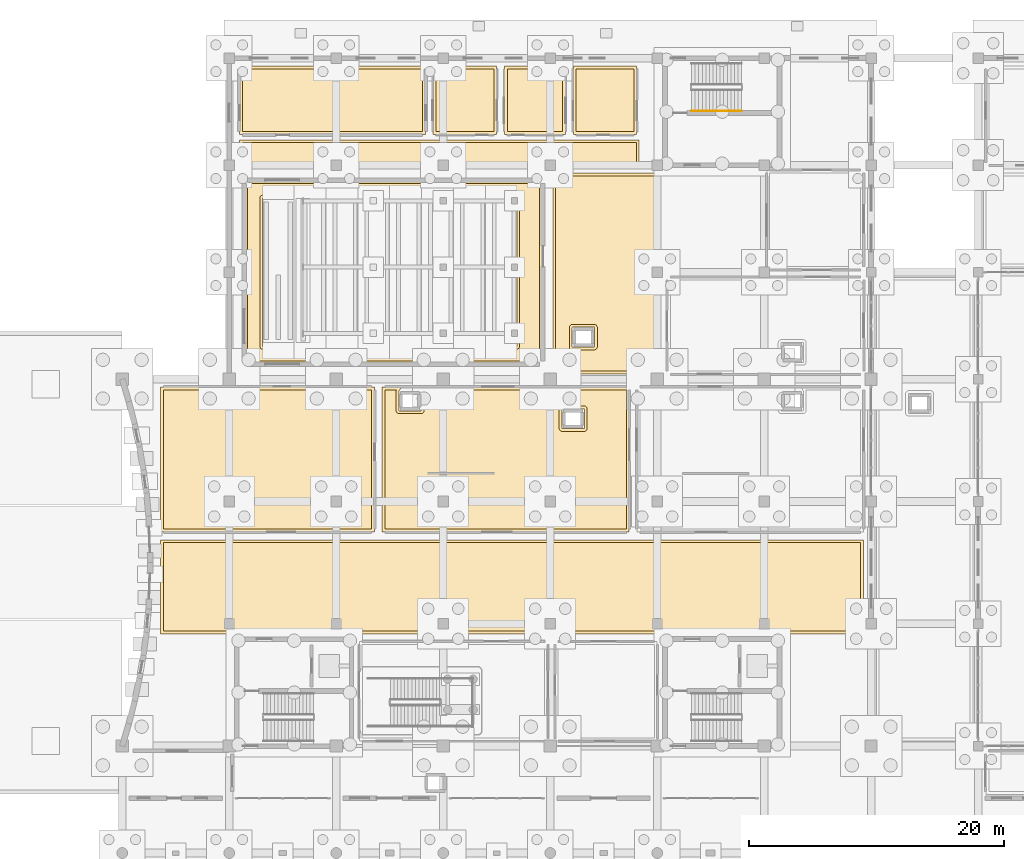
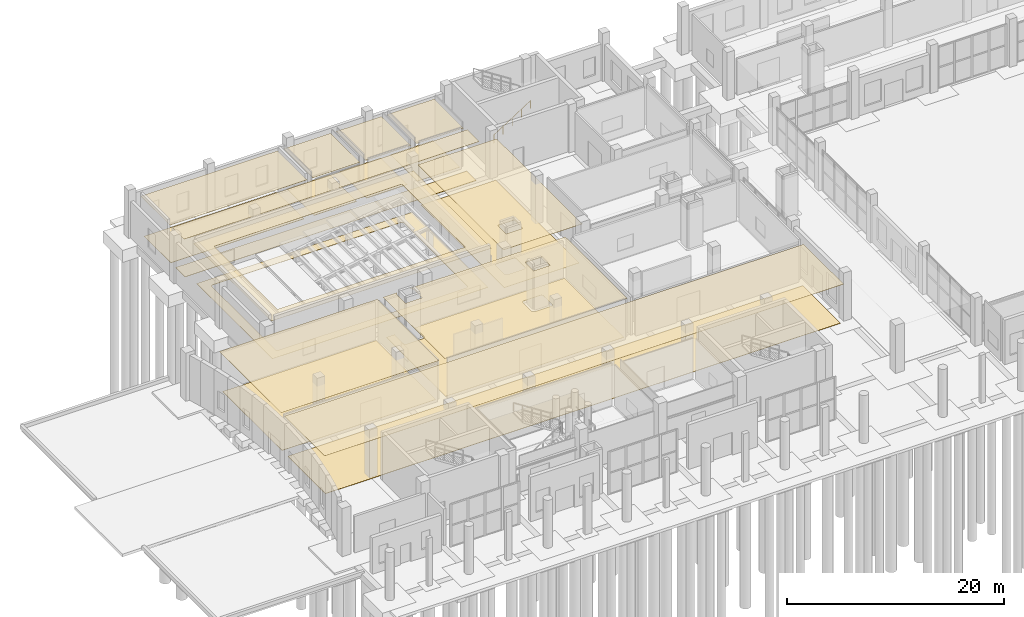
# One storey, part 53 of 65: 20 coverings, 1 railing.
"""IFC4 building model written with IfcOpenShell, lengths in metres."""

from ifc_helpers import new_model, si_unit, direction, frame, origin, origin_2d, place, context, subcontext, project, spatial, polyline, circle, outline, extrude, material, layer, layer_set, type_object, element, save


model = new_model("IFC4")

# Units and contexts
model_context = context("Model", 3, precision=1e-05, world=origin(), true_north=direction((0.0, 1.0)))
body_context = subcontext(model_context, "Body", "Model", "MODEL_VIEW")
ifc_project = project(units=[si_unit("LENGTHUNIT", "METRE"), si_unit("AREAUNIT", "SQUARE_METRE"), si_unit("VOLUMEUNIT", "CUBIC_METRE"), si_unit("PLANEANGLEUNIT", "RADIAN"), si_unit("MASSUNIT", "GRAM", prefix="KILO")], contexts=[model_context])

# Site, building, storey
site_placement = place(None, origin())
site = spatial("IfcSite", under=ifc_project, at=site_placement, CompositionType="ELEMENT")
building_placement = place(site_placement, origin())
building = spatial("IfcBuilding", under=site, at=building_placement, Name="Zulmaris Art Gallery", CompositionType="ELEMENT")
storey_placement = place(building_placement, origin())
storey = spatial("IfcBuildingStorey", under=building, at=storey_placement, Name="L00", CompositionType="ELEMENT", Elevation=0.0)

# Coverings
ifc_material_1 = material(Name="Micro-Perforated Gypsum Acoustic Ceiling", Category="gypsum")
ifc_layer_1 = layer(ifc_material_1, 0.02490234375)
ifc_layer_set_1 = layer_set([ifc_layer_1], Name="Micro-Perforated Gypsum Acoustic Ceiling")
covering_type_1 = type_object("IfcCoveringType", Name="COV-CL01", PredefinedType="CEILING", material=ifc_layer_set_1)
covering_1_placement = place(storey_placement, frame((0.0, 0.0, 4.449951171875)))
element("IfcCovering", 1, at=covering_1_placement, inside=storey, type_object=covering_type_1, Name="Grand Entrance Foyer & Ticketing Hall acoustic ceiling", PredefinedType="CEILING", context=body_context, shape_type="SweptSolid", body=[
    extrude(outline(polyline([(27.010009765625, 37.7900390625), (82.18994140625, 37.7900390625), (82.18994140625, 30.409912109375), (27.010009765625, 30.409912109375), (27.010009765625, 37.7900390625)])), origin(), (0.0, 0.0, 1.0), 0.030029296875),
])
covering_2_placement = place(storey_placement, frame((0.0, 0.0, 4.449951171875)))
element("IfcCovering", 2, at=covering_2_placement, inside=storey, type_object=covering_type_1, Name="Cloakroom & Visitor Orientation acoustic ceiling", PredefinedType="CEILING", context=body_context, shape_type="SweptSolid", body=[
    extrude(outline(polyline([(27.010009765625, 49.7900390625), (43.7900390625, 49.7900390625), (43.7900390625, 38.409912109375), (27.010009765625, 38.409912109375), (27.010009765625, 49.7900390625)])), origin(), (0.0, 0.0, 1.0), 0.030029296875),
])
covering_3_placement = place(storey_placement, frame((0.0, 0.0, 4.449951171875)))
element("IfcCovering", 3, at=covering_3_placement, inside=storey, type_object=covering_type_1, Name="Auditorium Pre-Function Foyer acoustic ceiling", PredefinedType="CEILING", context=body_context, shape_type="SweptSolid", body=[
    extrude(outline(polyline([(57.81005859375, 66.590087890625), (66.18994140625, 66.590087890625), (66.18994140625, 50.81005859375), (57.81005859375, 50.81005859375), (57.81005859375, 66.590087890625)]), holes=[polyline([(59.321533203125, 52.94140625), (59.322509765625, 52.938720703125), (59.32373046875, 52.93603515625), (59.3251953125, 52.93359375), (59.326904296875, 52.93115234375), (59.3291015625, 52.928955078125), (59.3310546875, 52.927001953125), (59.33349609375, 52.92529296875), (59.3359375, 52.923828125), (59.338623046875, 52.922607421875), (59.34130859375, 52.92138671875), (59.34423828125, 52.9208984375), (59.34716796875, 52.92041015625), (59.35546875, 52.919921875), (61.044677734375, 52.919921875), (61.052978515625, 52.92041015625), (61.055908203125, 52.9208984375), (61.05859375, 52.92138671875), (61.061279296875, 52.922607421875), (61.06396484375, 52.923828125), (61.06640625, 52.92529296875), (61.06884765625, 52.927001953125), (61.071044921875, 52.928955078125), (61.072998046875, 52.93115234375), (61.07470703125, 52.93359375), (61.076171875, 52.93603515625), (61.077392578125, 52.938720703125), (61.07861328125, 52.94140625), (61.0791015625, 52.944091796875), (61.07958984375, 52.947021484375), (61.080078125, 52.955322265625), (61.080078125, 54.444580078125), (61.07958984375, 54.452880859375), (61.0791015625, 54.455810546875), (61.07861328125, 54.45849609375), (61.077392578125, 54.46142578125), (61.076171875, 54.464111328125), (61.07470703125, 54.466552734375), (61.072998046875, 54.468994140625), (61.071044921875, 54.470947265625), (61.06884765625, 54.472900390625), (61.06640625, 54.474609375), (61.06396484375, 54.476318359375), (61.061279296875, 54.4775390625), (61.05859375, 54.478515625), (61.055908203125, 54.479248046875), (61.052978515625, 54.4794921875), (61.044677734375, 54.47998046875), (59.35546875, 54.47998046875), (59.34716796875, 54.4794921875), (59.34423828125, 54.479248046875), (59.34130859375, 54.478515625), (59.338623046875, 54.4775390625), (59.3359375, 54.476318359375), (59.33349609375, 54.474609375), (59.3310546875, 54.472900390625), (59.3291015625, 54.470947265625), (59.326904296875, 54.468994140625), (59.3251953125, 54.466552734375), (59.32373046875, 54.464111328125), (59.322509765625, 54.46142578125), (59.321533203125, 54.45849609375), (59.32080078125, 54.455810546875), (59.3203125, 54.452880859375), (59.320068359375, 54.444580078125), (59.320068359375, 52.955322265625), (59.3203125, 52.947021484375), (59.32080078125, 52.944091796875), (59.321533203125, 52.94140625)])]), origin(), (0.0, 0.0, 1.0), 0.030029296875),
])
covering_4_placement = place(storey_placement, frame((0.0, 0.0, 4.449951171875)))
element("IfcCovering", 4, at=covering_4_placement, inside=storey, type_object=covering_type_1, Name="320-Seat Lecture Auditorium acoustic ceiling", PredefinedType="CEILING", context=body_context, shape_type="SweptSolid", body=[
    extrude(outline(polyline([(56.989990234375, 65.989990234375), (56.989990234375, 51.610107421875), (33.610107421875, 51.610107421875), (33.610107421875, 65.989990234375), (56.989990234375, 65.989990234375)]), holes=[polyline([(35.021484375, 52.991455078125), (35.0224609375, 52.988525390625), (35.023681640625, 52.986083984375), (35.025390625, 52.9833984375), (35.027099609375, 52.981201171875), (35.029052734375, 52.97900390625), (35.031005859375, 52.97705078125), (35.033447265625, 52.975341796875), (35.035888671875, 52.973876953125), (35.03857421875, 52.972412109375), (35.04150390625, 52.971435546875), (35.044189453125, 52.970703125), (35.047119140625, 52.970458984375), (35.055419921875, 52.969970703125), (54.944580078125, 52.969970703125), (54.952880859375, 52.970458984375), (54.955810546875, 52.970703125), (54.95849609375, 52.971435546875), (54.96142578125, 52.972412109375), (54.964111328125, 52.973876953125), (54.966552734375, 52.975341796875), (54.968994140625, 52.97705078125), (54.970947265625, 52.97900390625), (54.972900390625, 52.981201171875), (54.974609375, 52.9833984375), (54.976318359375, 52.986083984375), (54.9775390625, 52.988525390625), (54.978515625, 52.991455078125), (54.979248046875, 52.994140625), (54.9794921875, 52.9970703125), (54.97998046875, 53.00537109375), (54.97998046875, 64.594482421875), (54.9794921875, 64.602783203125), (54.979248046875, 64.605712890625), (54.978515625, 64.608642578125), (54.9775390625, 64.611328125), (54.976318359375, 64.614013671875), (54.974609375, 64.616455078125), (54.972900390625, 64.618896484375), (54.970947265625, 64.62109375), (54.968994140625, 64.623046875), (54.966552734375, 64.624755859375), (54.964111328125, 64.626220703125), (54.96142578125, 64.62744140625), (54.95849609375, 64.62841796875), (54.955810546875, 64.629150390625), (54.952880859375, 64.629638671875), (54.944580078125, 64.6298828125), (35.055419921875, 64.6298828125), (35.047119140625, 64.629638671875), (35.044189453125, 64.629150390625), (35.04150390625, 64.62841796875), (35.03857421875, 64.62744140625), (35.035888671875, 64.626220703125), (35.033447265625, 64.624755859375), (35.031005859375, 64.623046875), (35.029052734375, 64.62109375), (35.027099609375, 64.618896484375), (35.025390625, 64.616455078125), (35.023681640625, 64.614013671875), (35.0224609375, 64.611328125), (35.021484375, 64.608642578125), (35.020751953125, 64.605712890625), (35.0205078125, 64.602783203125), (35.02001953125, 64.594482421875), (35.02001953125, 53.00537109375), (35.0205078125, 52.9970703125), (35.020751953125, 52.994140625), (35.021484375, 52.991455078125)])]), origin(), (0.0, 0.0, 1.0), 0.030029296875),
])
covering_5_placement = place(storey_placement, frame((0.0, 0.0, 4.449951171875)))
element("IfcCovering", 5, at=covering_5_placement, inside=storey, type_object=covering_type_1, Name="North Backstage Corridor acoustic ceiling", PredefinedType="CEILING", context=body_context, shape_type="SweptSolid", body=[
    extrude(outline(polyline([(33.2099609375, 69.18994140625), (64.590087890625, 69.18994140625), (64.590087890625, 67.010009765625), (33.2099609375, 67.010009765625), (33.2099609375, 69.18994140625)])), origin(), (0.0, 0.0, 1.0), 0.030029296875),
])
covering_6_placement = place(storey_placement, frame((0.0, 0.0, 4.449951171875)))
element("IfcCovering", 6, at=covering_6_placement, inside=storey, type_object=covering_type_1, Name="Green Room & Performers Lounge acoustic ceiling", PredefinedType="CEILING", context=body_context, shape_type="SweptSolid", body=[
    extrude(outline(polyline([(33.2099609375, 74.989990234375), (47.7900390625, 74.989990234375), (47.7900390625, 69.610107421875), (33.2099609375, 69.610107421875), (33.2099609375, 74.989990234375)])), origin(), (0.0, 0.0, 1.0), 0.030029296875),
])
covering_7_placement = place(storey_placement, frame((0.0, 0.0, 4.449951171875)))
element("IfcCovering", 7, at=covering_7_placement, inside=storey, type_object=covering_type_1, Name="Ground Public Male WC acoustic ceiling", PredefinedType="CEILING", context=body_context, shape_type="SweptSolid", body=[
    extrude(outline(polyline([(48.409912109375, 74.989990234375), (53.389892578125, 74.989990234375), (53.389892578125, 69.610107421875), (48.409912109375, 69.610107421875), (48.409912109375, 74.989990234375)])), origin(), (0.0, 0.0, 1.0), 0.030029296875),
])
covering_8_placement = place(storey_placement, frame((0.0, 0.0, 4.449951171875)))
element("IfcCovering", 8, at=covering_8_placement, inside=storey, type_object=covering_type_1, Name="Ground Public Female WC acoustic ceiling", PredefinedType="CEILING", context=body_context, shape_type="SweptSolid", body=[
    extrude(outline(polyline([(54.010009765625, 74.989990234375), (58.7900390625, 74.989990234375), (58.7900390625, 69.610107421875), (54.010009765625, 69.610107421875), (54.010009765625, 74.989990234375)])), origin(), (0.0, 0.0, 1.0), 0.030029296875),
])
covering_9_placement = place(storey_placement, frame((0.0, 0.0, 4.449951171875)))
element("IfcCovering", 9, at=covering_9_placement, inside=storey, type_object=covering_type_1, Name="Ground Accessible WC acoustic ceiling", PredefinedType="CEILING", context=body_context, shape_type="SweptSolid", body=[
    extrude(outline(polyline([(59.409912109375, 74.989990234375), (64.389892578125, 74.989990234375), (64.389892578125, 69.610107421875), (59.409912109375, 69.610107421875), (59.409912109375, 74.989990234375)])), origin(), (0.0, 0.0, 1.0), 0.030029296875),
])
ifc_material_2 = material(Name="Luminous UV-Diffusing Stretched Gallery Ceiling", Category="gypsum")
ifc_layer_2 = layer(ifc_material_2, 0.034912109375)
ifc_layer_set_2 = layer_set([ifc_layer_2], Name="Luminous UV-Diffusing Stretched Gallery Ceiling")
covering_type_2 = type_object("IfcCoveringType", Name="COV-CL02", PredefinedType="CEILING", material=ifc_layer_set_2)
covering_10_placement = place(storey_placement, frame((0.0, 0.0, 4.449951171875)))
element("IfcCovering", 10, at=covering_10_placement, inside=storey, type_object=covering_type_2, Name="Omani Maritime & Antiquities Gallery acoustic ceiling", PredefinedType="CEILING", context=body_context, shape_type="SweptSolid", body=[
    extrude(outline(polyline([(45.721435546875, 47.94140625), (45.722412109375, 47.938720703125), (45.723876953125, 47.93603515625), (45.725341796875, 47.93359375), (45.72705078125, 47.93115234375), (45.72900390625, 47.928955078125), (45.731201171875, 47.927001953125), (45.7333984375, 47.92529296875), (45.736083984375, 47.923828125), (45.738525390625, 47.922607421875), (45.741455078125, 47.92138671875), (45.744140625, 47.9208984375), (45.7470703125, 47.92041015625), (45.75537109375, 47.919921875), (47.444580078125, 47.919921875), (47.452880859375, 47.92041015625), (47.455810546875, 47.9208984375), (47.45849609375, 47.92138671875), (47.46142578125, 47.922607421875), (47.464111328125, 47.923828125), (47.466552734375, 47.92529296875), (47.468994140625, 47.927001953125), (47.470947265625, 47.928955078125), (47.472900390625, 47.93115234375), (47.474609375, 47.93359375), (47.476318359375, 47.93603515625), (47.4775390625, 47.938720703125), (47.478515625, 47.94140625), (47.479248046875, 47.944091796875), (47.4794921875, 47.947021484375), (47.47998046875, 47.955322265625), (47.47998046875, 49.444580078125), (47.4794921875, 49.452880859375), (47.479248046875, 49.455810546875), (47.478515625, 49.45849609375), (47.4775390625, 49.46142578125), (47.476318359375, 49.464111328125), (47.28076171875, 49.7900390625), (63.7900390625, 49.7900390625), (63.7900390625, 38.409912109375), (44.409912109375, 38.409912109375), (44.409912109375, 49.7900390625), (45.919189453125, 49.7900390625), (45.723876953125, 49.464111328125), (45.722412109375, 49.46142578125), (45.721435546875, 49.45849609375), (45.720703125, 49.455810546875), (45.720458984375, 49.452880859375), (45.719970703125, 49.444580078125), (45.719970703125, 47.955322265625), (45.720458984375, 47.947021484375), (45.720703125, 47.944091796875), (45.721435546875, 47.94140625)]), holes=[polyline([(58.54150390625, 48.07861328125), (58.53857421875, 48.077392578125), (58.535888671875, 48.076171875), (58.533447265625, 48.07470703125), (58.531005859375, 48.072998046875), (58.529052734375, 48.071044921875), (58.527099609375, 48.06884765625), (58.525390625, 48.06640625), (58.523681640625, 48.06396484375), (58.5224609375, 48.061279296875), (58.521484375, 48.05859375), (58.520751953125, 48.055908203125), (58.5205078125, 48.052978515625), (58.52001953125, 48.044677734375), (58.52001953125, 46.555419921875), (58.5205078125, 46.547119140625), (58.520751953125, 46.544189453125), (58.521484375, 46.54150390625), (58.5224609375, 46.53857421875), (58.523681640625, 46.535888671875), (58.525390625, 46.533447265625), (58.527099609375, 46.531005859375), (58.529052734375, 46.529052734375), (58.531005859375, 46.527099609375), (58.533447265625, 46.525390625), (58.535888671875, 46.523681640625), (58.53857421875, 46.5224609375), (58.54150390625, 46.521484375), (58.544189453125, 46.520751953125), (58.547119140625, 46.5205078125), (58.555419921875, 46.52001953125), (60.24462890625, 46.52001953125), (60.2529296875, 46.5205078125), (60.255859375, 46.520751953125), (60.258544921875, 46.521484375), (60.261474609375, 46.5224609375), (60.263916015625, 46.523681640625), (60.2666015625, 46.525390625), (60.268798828125, 46.527099609375), (60.27099609375, 46.529052734375), (60.27294921875, 46.531005859375), (60.274658203125, 46.533447265625), (60.276123046875, 46.535888671875), (60.277587890625, 46.53857421875), (60.278564453125, 46.54150390625), (60.279296875, 46.544189453125), (60.279541015625, 46.547119140625), (60.280029296875, 46.555419921875), (60.280029296875, 48.044677734375), (60.279541015625, 48.052978515625), (60.279296875, 48.055908203125), (60.278564453125, 48.05859375), (60.277587890625, 48.061279296875), (60.276123046875, 48.06396484375), (60.274658203125, 48.06640625), (60.27294921875, 48.06884765625), (60.27099609375, 48.071044921875), (60.268798828125, 48.072998046875), (60.2666015625, 48.07470703125), (60.263916015625, 48.076171875), (60.261474609375, 48.077392578125), (60.258544921875, 48.07861328125), (60.255859375, 48.0791015625), (60.2529296875, 48.07958984375), (60.24462890625, 48.080078125), (58.555419921875, 48.080078125), (58.547119140625, 48.07958984375), (58.544189453125, 48.0791015625), (58.54150390625, 48.07861328125)])]), origin(), (0.0, 0.0, 1.0), 0.030029296875),
])
ifc_material_3 = material(Name="Honed Omani Limestone Terrazzo Flooring", Category="masonry")
ifc_layer_3 = layer(ifc_material_3, 0.0400390625)
ifc_layer_set_3 = layer_set([ifc_layer_3], Name="Honed Omani Limestone Terrazzo Flooring")
covering_type_3 = type_object("IfcCoveringType", Name="COV-FL01", PredefinedType="FLOORING", material=ifc_layer_set_3)
covering_11_placement = place(storey_placement, origin())
element("IfcCovering", 11, at=covering_11_placement, inside=storey, type_object=covering_type_3, Name="Grand Entrance Foyer & Ticketing Hall finish flooring", PredefinedType="FLOORING", context=body_context, shape_type="SweptSolid", body=[
    extrude(outline(polyline([(81.969970703125, 30.6298828125), (27.22998046875, 30.6298828125), (27.22998046875, 37.570068359375), (81.969970703125, 37.570068359375), (81.969970703125, 30.6298828125)])), origin(), (0.0, 0.0, 1.0), 0.034912109375),
])
covering_12_placement = place(storey_placement, origin())
element("IfcCovering", 12, at=covering_12_placement, inside=storey, type_object=covering_type_3, Name="Cloakroom & Visitor Orientation finish flooring", PredefinedType="FLOORING", context=body_context, shape_type="SweptSolid", body=[
    extrude(outline(polyline([(43.570068359375, 38.6298828125), (27.22998046875, 38.6298828125), (27.22998046875, 49.570068359375), (43.570068359375, 49.570068359375), (43.570068359375, 38.6298828125)])), origin(), (0.0, 0.0, 1.0), 0.034912109375),
])
covering_13_placement = place(storey_placement, origin())
element("IfcCovering", 13, at=covering_13_placement, inside=storey, type_object=covering_type_3, Name="Auditorium Pre-Function Foyer finish flooring", PredefinedType="FLOORING", context=body_context, shape_type="SweptSolid", body=[
    extrude(outline(polyline([(65.969970703125, 51.030029296875), (58.030029296875, 51.030029296875), (58.030029296875, 66.3701171875), (65.969970703125, 66.3701171875), (65.969970703125, 51.030029296875)]), holes=[polyline([(59.101318359375, 52.925537109375), (59.104736328125, 52.901123046875), (59.11083984375, 52.87744140625), (59.118896484375, 52.854248046875), (59.12939453125, 52.832275390625), (59.14208984375, 52.81103515625), (59.15673828125, 52.79150390625), (59.173095703125, 52.773193359375), (59.19140625, 52.756591796875), (59.211181640625, 52.7421875), (59.232177734375, 52.7294921875), (59.25439453125, 52.718994140625), (59.27734375, 52.710693359375), (59.30126953125, 52.704833984375), (59.325439453125, 52.701171875), (59.35009765625, 52.699951171875), (61.050048828125, 52.699951171875), (61.074462890625, 52.701171875), (61.098876953125, 52.704833984375), (61.12255859375, 52.710693359375), (61.145751953125, 52.718994140625), (61.167724609375, 52.7294921875), (61.18896484375, 52.7421875), (61.20849609375, 52.756591796875), (61.226806640625, 52.773193359375), (61.243408203125, 52.79150390625), (61.2578125, 52.81103515625), (61.2705078125, 52.832275390625), (61.281005859375, 52.854248046875), (61.289306640625, 52.87744140625), (61.295166015625, 52.901123046875), (61.298828125, 52.925537109375), (61.300048828125, 52.949951171875), (61.300048828125, 54.449951171875), (61.298828125, 54.474609375), (61.295166015625, 54.498779296875), (61.289306640625, 54.522705078125), (61.281005859375, 54.545654296875), (61.2705078125, 54.56787109375), (61.2578125, 54.5888671875), (61.243408203125, 54.608642578125), (61.226806640625, 54.626708984375), (61.20849609375, 54.643310546875), (61.18896484375, 54.657958984375), (61.167724609375, 54.67041015625), (61.145751953125, 54.680908203125), (61.12255859375, 54.689208984375), (61.098876953125, 54.6953125), (61.074462890625, 54.69873046875), (61.050048828125, 54.699951171875), (59.35009765625, 54.699951171875), (59.325439453125, 54.69873046875), (59.30126953125, 54.6953125), (59.27734375, 54.689208984375), (59.25439453125, 54.680908203125), (59.232177734375, 54.67041015625), (59.211181640625, 54.657958984375), (59.19140625, 54.643310546875), (59.173095703125, 54.626708984375), (59.15673828125, 54.608642578125), (59.14208984375, 54.5888671875), (59.12939453125, 54.56787109375), (59.118896484375, 54.545654296875), (59.11083984375, 54.522705078125), (59.104736328125, 54.498779296875), (59.101318359375, 54.474609375), (59.10009765625, 54.449951171875), (59.10009765625, 52.949951171875), (59.101318359375, 52.925537109375)])]), origin(), (0.0, 0.0, 1.0), 0.034912109375),
])
covering_14_placement = place(storey_placement, origin())
element("IfcCovering", 14, at=covering_14_placement, inside=storey, type_object=covering_type_3, Name="North Backstage Corridor finish flooring", PredefinedType="FLOORING", context=body_context, shape_type="SweptSolid", body=[
    extrude(outline(polyline([(64.3701171875, 67.22998046875), (33.429931640625, 67.22998046875), (33.429931640625, 68.969970703125), (64.3701171875, 68.969970703125), (64.3701171875, 67.22998046875)])), origin(), (0.0, 0.0, 1.0), 0.034912109375),
])
covering_15_placement = place(storey_placement, origin())
element("IfcCovering", 15, at=covering_15_placement, inside=storey, type_object=covering_type_3, Name="Green Room & Performers Lounge finish flooring", PredefinedType="FLOORING", context=body_context, shape_type="SweptSolid", body=[
    extrude(outline(polyline([(47.570068359375, 69.830078125), (33.429931640625, 69.830078125), (33.429931640625, 74.77001953125), (47.570068359375, 74.77001953125), (47.570068359375, 69.830078125)])), origin(), (0.0, 0.0, 1.0), 0.034912109375),
])
covering_16_placement = place(storey_placement, origin())
element("IfcCovering", 16, at=covering_16_placement, inside=storey, type_object=covering_type_3, Name="Ground Public Male WC finish flooring", PredefinedType="FLOORING", context=body_context, shape_type="SweptSolid", body=[
    extrude(outline(polyline([(53.169921875, 69.830078125), (48.6298828125, 69.830078125), (48.6298828125, 74.77001953125), (53.169921875, 74.77001953125), (53.169921875, 69.830078125)])), origin(), (0.0, 0.0, 1.0), 0.034912109375),
])
covering_17_placement = place(storey_placement, origin())
element("IfcCovering", 17, at=covering_17_placement, inside=storey, type_object=covering_type_3, Name="Ground Public Female WC finish flooring", PredefinedType="FLOORING", context=body_context, shape_type="SweptSolid", body=[
    extrude(outline(polyline([(58.570068359375, 69.830078125), (54.22998046875, 69.830078125), (54.22998046875, 74.77001953125), (58.570068359375, 74.77001953125), (58.570068359375, 69.830078125)])), origin(), (0.0, 0.0, 1.0), 0.034912109375),
])
covering_18_placement = place(storey_placement, origin())
element("IfcCovering", 18, at=covering_18_placement, inside=storey, type_object=covering_type_3, Name="Ground Accessible WC finish flooring", PredefinedType="FLOORING", context=body_context, shape_type="SweptSolid", body=[
    extrude(outline(polyline([(64.169921875, 69.830078125), (59.6298828125, 69.830078125), (59.6298828125, 74.77001953125), (64.169921875, 74.77001953125), (64.169921875, 69.830078125)])), origin(), (0.0, 0.0, 1.0), 0.034912109375),
])
ifc_material_4 = material(Name="Oiled European Oak Gallery Parquet Flooring", Category="timber")
ifc_layer_4 = layer(ifc_material_4, 0.030029296875)
ifc_layer_set_4 = layer_set([ifc_layer_4], Name="Oiled European Oak Gallery Parquet Flooring")
covering_type_4 = type_object("IfcCoveringType", Name="COV-FL02", PredefinedType="FLOORING", material=ifc_layer_set_4)
covering_19_placement = place(storey_placement, origin())
element("IfcCovering", 19, at=covering_19_placement, inside=storey, type_object=covering_type_4, Name="Omani Maritime & Antiquities Gallery finish flooring", PredefinedType="FLOORING", context=body_context, shape_type="SweptSolid", body=[
    extrude(outline(polyline([(45.501220703125, 47.925537109375), (45.5048828125, 47.901123046875), (45.5107421875, 47.87744140625), (45.51904296875, 47.854248046875), (45.529541015625, 47.832275390625), (45.5419921875, 47.81103515625), (45.556640625, 47.79150390625), (45.5732421875, 47.773193359375), (45.59130859375, 47.756591796875), (45.611083984375, 47.7421875), (45.632080078125, 47.7294921875), (45.654296875, 47.718994140625), (45.677490234375, 47.710693359375), (45.701171875, 47.704833984375), (45.7255859375, 47.701171875), (45.75, 47.699951171875), (47.449951171875, 47.699951171875), (47.474609375, 47.701171875), (47.498779296875, 47.704833984375), (47.522705078125, 47.710693359375), (47.545654296875, 47.718994140625), (47.56787109375, 47.7294921875), (47.5888671875, 47.7421875), (47.608642578125, 47.756591796875), (47.626708984375, 47.773193359375), (47.643310546875, 47.79150390625), (47.657958984375, 47.81103515625), (47.67041015625, 47.832275390625), (47.680908203125, 47.854248046875), (47.689208984375, 47.87744140625), (47.6953125, 47.901123046875), (47.69873046875, 47.925537109375), (47.699951171875, 47.949951171875), (47.699951171875, 49.449951171875), (47.69873046875, 49.474609375), (47.6953125, 49.498779296875), (47.689208984375, 49.522705078125), (47.680908203125, 49.545654296875), (47.67041015625, 49.56787109375), (47.669189453125, 49.570068359375), (63.570068359375, 49.570068359375), (63.570068359375, 38.6298828125), (44.6298828125, 38.6298828125), (44.6298828125, 49.570068359375), (45.53076171875, 49.570068359375), (45.529541015625, 49.56787109375), (45.51904296875, 49.545654296875), (45.5107421875, 49.522705078125), (45.5048828125, 49.498779296875), (45.501220703125, 49.474609375), (45.5, 49.449951171875), (45.5, 47.949951171875), (45.501220703125, 47.925537109375)]), holes=[polyline([(58.525390625, 48.298828125), (58.501220703125, 48.295166015625), (58.477294921875, 48.289306640625), (58.454345703125, 48.281005859375), (58.43212890625, 48.2705078125), (58.4111328125, 48.2578125), (58.391357421875, 48.243408203125), (58.373291015625, 48.226806640625), (58.356689453125, 48.20849609375), (58.342041015625, 48.18896484375), (58.32958984375, 48.167724609375), (58.319091796875, 48.145751953125), (58.310791015625, 48.12255859375), (58.3046875, 48.098876953125), (58.30126953125, 48.074462890625), (58.300048828125, 48.050048828125), (58.300048828125, 46.550048828125), (58.30126953125, 46.525390625), (58.3046875, 46.501220703125), (58.310791015625, 46.477294921875), (58.319091796875, 46.454345703125), (58.32958984375, 46.43212890625), (58.342041015625, 46.4111328125), (58.356689453125, 46.391357421875), (58.373291015625, 46.373291015625), (58.391357421875, 46.356689453125), (58.4111328125, 46.342041015625), (58.43212890625, 46.32958984375), (58.454345703125, 46.319091796875), (58.477294921875, 46.310791015625), (58.501220703125, 46.3046875), (58.525390625, 46.30126953125), (58.550048828125, 46.300048828125), (60.25, 46.300048828125), (60.2744140625, 46.30126953125), (60.298828125, 46.3046875), (60.322509765625, 46.310791015625), (60.345703125, 46.319091796875), (60.367919921875, 46.32958984375), (60.388916015625, 46.342041015625), (60.40869140625, 46.356689453125), (60.4267578125, 46.373291015625), (60.443359375, 46.391357421875), (60.4580078125, 46.4111328125), (60.470458984375, 46.43212890625), (60.48095703125, 46.454345703125), (60.4892578125, 46.477294921875), (60.4951171875, 46.501220703125), (60.498779296875, 46.525390625), (60.5, 46.550048828125), (60.5, 48.050048828125), (60.498779296875, 48.074462890625), (60.4951171875, 48.098876953125), (60.4892578125, 48.12255859375), (60.48095703125, 48.145751953125), (60.470458984375, 48.167724609375), (60.4580078125, 48.18896484375), (60.443359375, 48.20849609375), (60.4267578125, 48.226806640625), (60.40869140625, 48.243408203125), (60.388916015625, 48.2578125), (60.367919921875, 48.2705078125), (60.345703125, 48.281005859375), (60.322509765625, 48.289306640625), (60.298828125, 48.295166015625), (60.2744140625, 48.298828125), (60.25, 48.300048828125), (58.550048828125, 48.300048828125), (58.525390625, 48.298828125)])]), origin(), (0.0, 0.0, 1.0), 0.034912109375),
])
covering_20_placement = place(storey_placement, origin())
element("IfcCovering", 20, at=covering_20_placement, inside=storey, type_object=covering_type_4, Name="320-Seat Lecture Auditorium finish flooring", PredefinedType="FLOORING", context=body_context, shape_type="SweptSolid", body=[
    extrude(outline(polyline([(33.830078125, 51.830078125), (33.830078125, 65.77001953125), (56.77001953125, 65.77001953125), (56.77001953125, 51.830078125), (33.830078125, 51.830078125)]), holes=[polyline([(34.80126953125, 52.9755859375), (34.8046875, 52.951171875), (34.810791015625, 52.927490234375), (34.819091796875, 52.904296875), (34.82958984375, 52.882080078125), (34.842041015625, 52.861083984375), (34.856689453125, 52.84130859375), (34.873291015625, 52.8232421875), (34.891357421875, 52.806640625), (34.9111328125, 52.7919921875), (34.93212890625, 52.779541015625), (34.954345703125, 52.76904296875), (34.977294921875, 52.7607421875), (35.001220703125, 52.7548828125), (35.025390625, 52.751220703125), (35.050048828125, 52.75), (54.949951171875, 52.75), (54.974609375, 52.751220703125), (54.998779296875, 52.7548828125), (55.022705078125, 52.7607421875), (55.045654296875, 52.76904296875), (55.06787109375, 52.779541015625), (55.0888671875, 52.7919921875), (55.108642578125, 52.806640625), (55.126708984375, 52.8232421875), (55.143310546875, 52.84130859375), (55.157958984375, 52.861083984375), (55.17041015625, 52.882080078125), (55.180908203125, 52.904296875), (55.189208984375, 52.927490234375), (55.1953125, 52.951171875), (55.19873046875, 52.9755859375), (55.199951171875, 53.0), (55.199951171875, 64.60009765625), (55.19873046875, 64.62451171875), (55.1953125, 64.648681640625), (55.189208984375, 64.672607421875), (55.180908203125, 64.69580078125), (55.17041015625, 64.7177734375), (55.157958984375, 64.739013671875), (55.143310546875, 64.758544921875), (55.126708984375, 64.77685546875), (55.108642578125, 64.793212890625), (55.0888671875, 64.807861328125), (55.06787109375, 64.820556640625), (55.045654296875, 64.8310546875), (55.022705078125, 64.839111328125), (54.998779296875, 64.84521484375), (54.974609375, 64.848876953125), (54.949951171875, 64.85009765625), (35.050048828125, 64.85009765625), (35.025390625, 64.848876953125), (35.001220703125, 64.84521484375), (34.977294921875, 64.839111328125), (34.954345703125, 64.8310546875), (34.93212890625, 64.820556640625), (34.9111328125, 64.807861328125), (34.891357421875, 64.793212890625), (34.873291015625, 64.77685546875), (34.856689453125, 64.758544921875), (34.842041015625, 64.739013671875), (34.82958984375, 64.7177734375), (34.819091796875, 64.69580078125), (34.810791015625, 64.672607421875), (34.8046875, 64.648681640625), (34.80126953125, 64.62451171875), (34.800048828125, 64.60009765625), (34.800048828125, 53.0), (34.80126953125, 52.9755859375)])]), origin(), (0.0, 0.0, 1.0), 0.034912109375),
])

# Railing
ifc_material_5 = material(Name="Brushed Bronze Handrail", Category="steel")
ifc_layer_5 = layer(ifc_material_5, 0.048095703125)
ifc_layer_set_5 = layer_set([ifc_layer_5], Name="Brushed Bronze Handrail")
railing_type = type_object("IfcRailingType", Name="RAIL-STHND", PredefinedType="HANDRAIL", material=ifc_layer_set_5)
railing_placement = place(storey_placement, frame((68.699951171875, 71.4599609375, 0.179931640625)))
element("IfcRailing", 21, at=railing_placement, inside=storey, type_object=railing_type, Name="L00 ST7 stair handrail 1", PredefinedType="HANDRAIL", context=body_context, shape_type="SweptSolid", body=[
    extrude(circle(Radius=0.02392578125, at=origin_2d()), frame((0.0, 0.0, 0.8759765625), z_axis=(0.841186985886, 0.0, 0.540744352514), x_axis=(0.0, 1.0, 0.0)), (0.0, 0.0, 1.0), 4.660400390625),
    extrude(circle(Radius=0.02099609375, at=origin_2d()), origin(), (0.0, 0.0, 1.0), 0.851806640625),
    extrude(circle(Radius=0.02099609375, at=origin_2d()), frame((0.97998046875, 0.0, 0.6298828125)), (0.0, 0.0, 1.0), 0.851806640625),
    extrude(circle(Radius=0.02099609375, at=origin_2d()), frame((1.9599609375, 0.0, 1.260009765625)), (0.0, 0.0, 1.0), 0.851806640625),
    extrude(circle(Radius=0.02099609375, at=origin_2d()), frame((2.940185546875, 0.0, 1.89013671875)), (0.0, 0.0, 1.0), 0.851806640625),
    extrude(circle(Radius=0.02099609375, at=origin_2d()), frame((3.920166015625, 0.0, 2.52001953125)), (0.0, 0.0, 1.0), 0.851806640625),
])

save(model, "model.ifc")
